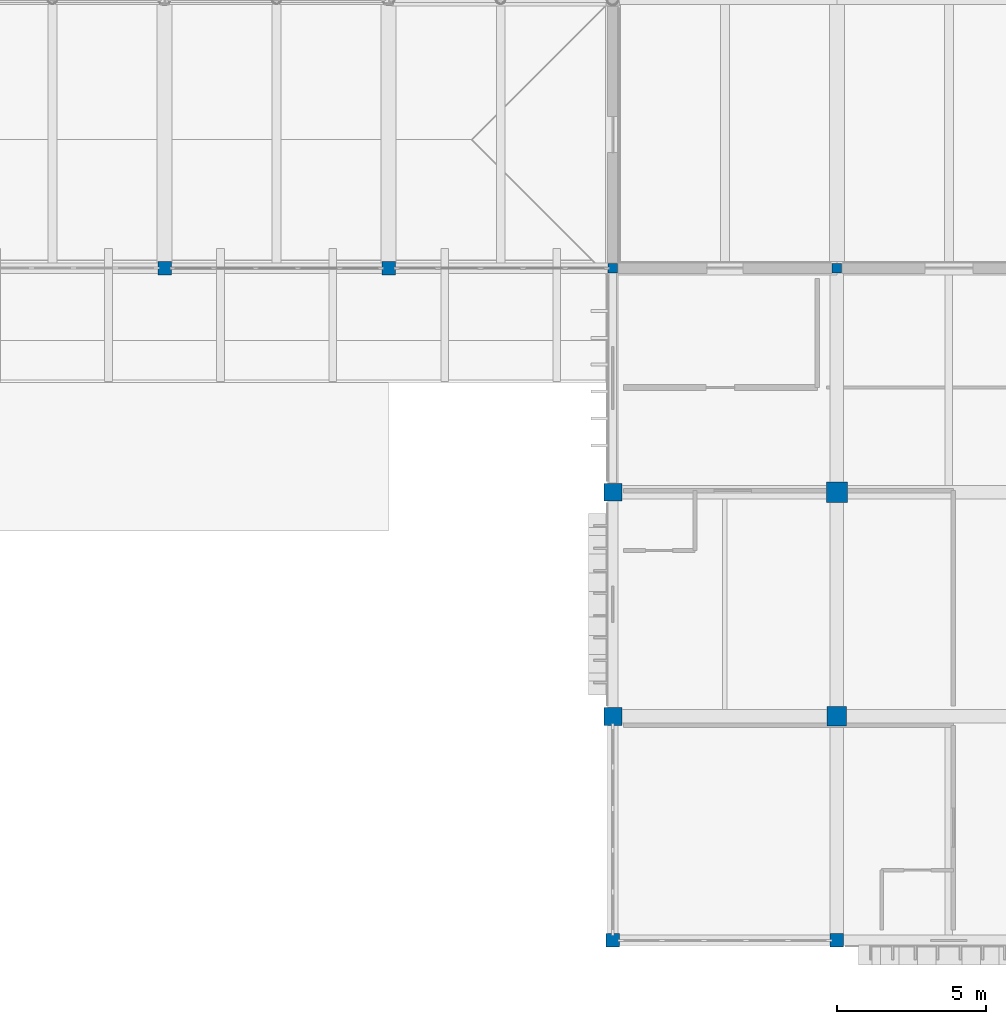
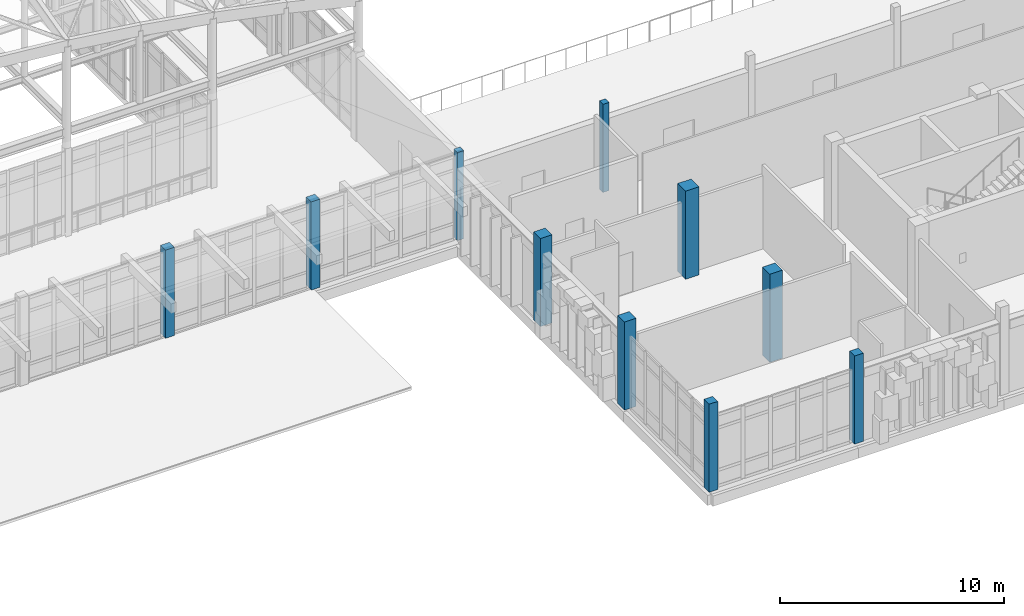
# One storey, part 4 of 131: 10 columns.
"""IFC4 building model written with IfcOpenShell, lengths in metres."""

from ifc_helpers import new_model, si_unit, direction, frame, origin, origin_2d, place, context, subcontext, project, spatial, rectangle, extrude, material, material_profile, profile_set, type_object, element, save


model = new_model("IFC4")

# Units and contexts
model_context = context("Model", 3, precision=1e-05, world=origin(), true_north=direction((0.0, 1.0)))
body_context = subcontext(model_context, "Body", "Model", "MODEL_VIEW")
ifc_project = project(units=[si_unit("LENGTHUNIT", "METRE"), si_unit("AREAUNIT", "SQUARE_METRE"), si_unit("VOLUMEUNIT", "CUBIC_METRE"), si_unit("PLANEANGLEUNIT", "RADIAN"), si_unit("MASSUNIT", "GRAM", prefix="KILO")], contexts=[model_context])

# Site, building, storey
site_placement = place(None, origin())
site = spatial("IfcSite", under=ifc_project, at=site_placement, CompositionType="ELEMENT")
building_placement = place(site_placement, origin())
building = spatial("IfcBuilding", under=site, at=building_placement, Name="Dalvernix Boulevard General Hospital", CompositionType="ELEMENT")
storey_placement = place(building_placement, frame((0.0, 0.0, 9.300048828125)))
storey = spatial("IfcBuildingStorey", under=building, at=storey_placement, Name="L02", CompositionType="ELEMENT", Elevation=9.300048828125)

# Columns
ifc_material_1 = material(Name="Concrete C40/50", Category="concrete")
ifc_material_profile_1 = material_profile(ifc_material_1, rectangle(XDim=0.699951171875, YDim=0.699951171875, at=origin_2d()), Name="RC 700x700")
ifc_profile_set_1 = profile_set([ifc_material_profile_1], Name="Concrete C40/50")
column_type_1 = type_object("IfcColumnType", Name="COL-C-05-I", PredefinedType="COLUMN", material=ifc_profile_set_1)
column_1_placement = place(storey_placement, frame((120.0, 15.0, 0.0), z_axis=(0.0, 0.0, 1.0), x_axis=(1.0, 0.0, 0.0)))
element("IfcColumn", 1, at=column_1_placement, inside=storey, type_object=column_type_1, Name="L02 column 17C", PredefinedType="COLUMN", context=body_context, shape_type="SweptSolid", body=[
    extrude(rectangle(XDim=0.699951171875, YDim=0.699951171875, at=origin_2d()), origin(), (0.0, 0.0, 1.0), 4.800048828125),
])
ifc_material_profile_2 = material_profile(ifc_material_1, rectangle(XDim=0.64990234375, YDim=0.64990234375, at=origin_2d()), Name="RC 650x650")
ifc_profile_set_2 = profile_set([ifc_material_profile_2], Name="Concrete C40/50")
column_type_2 = type_object("IfcColumnType", Name="COL-C-06-I", PredefinedType="COLUMN", material=ifc_profile_set_2)
column_2_placement = place(storey_placement, frame((120.0, 7.5, 0.0), z_axis=(0.0, 0.0, 1.0), x_axis=(1.0, 0.0, 0.0)))
element("IfcColumn", 2, at=column_2_placement, inside=storey, type_object=column_type_2, Name="L02 column 17B", PredefinedType="COLUMN", context=body_context, shape_type="SweptSolid", body=[
    extrude(rectangle(XDim=0.64990234375, YDim=0.64990234375, at=origin_2d()), origin(), (0.0, 0.0, 1.0), 4.800048828125),
])
ifc_material_profile_3 = material_profile(ifc_material_1, rectangle(XDim=0.60009765625, YDim=0.60009765625, at=origin_2d()), Name="RC 600x600")
ifc_profile_set_3 = profile_set([ifc_material_profile_3], Name="Concrete C40/50")
column_type_3 = type_object("IfcColumnType", Name="COL-C-07-E", PredefinedType="COLUMN", material=ifc_profile_set_3)
for number, where, z_axis, x_axis, name in (
    (3, (112.5, 7.5, 0.0), (0.0, 0.0, 1.0), (1.0, 0.0, 0.0), "L02 column 16B"),
    (4, (112.5, 15.0, 0.0), (0.0, 0.0, 1.0), (1.0, 0.0, 0.0), "L02 column 16C"),
):
    element("IfcColumn", number, at=place(storey_placement, frame(where, z_axis=z_axis, x_axis=x_axis)), inside=storey, type_object=column_type_3, Name=name, PredefinedType="COLUMN", context=body_context, shape_type="SweptSolid", body=[
        extrude(rectangle(XDim=0.60009765625, YDim=0.60009765625, at=origin_2d()), origin(), (0.0, 0.0, 1.0), 4.800048828125),
    ])
ifc_material_profile_4 = material_profile(ifc_material_1, rectangle(XDim=0.449951171875, YDim=0.449951171875, at=origin_2d()), Name="RC 450x450")
ifc_profile_set_4 = profile_set([ifc_material_profile_4], Name="Concrete C40/50")
column_type_4 = type_object("IfcColumnType", Name="COL-C-10-E", PredefinedType="COLUMN", material=ifc_profile_set_4)
for number, where, z_axis, x_axis, name in (
    (5, (97.5, 22.5, 0.0), (0.0, 0.0, 1.0), (1.0, 0.0, 0.0), "L02 column 14D"),
    (6, (105.0, 22.5, 0.0), (0.0, 0.0, 1.0), (1.0, 0.0, 0.0), "L02 column 15D"),
    (7, (112.5, 0.0, 0.0), (0.0, 0.0, 1.0), (1.0, 0.0, 0.0), "L02 column 16A"),
    (8, (120.0, 0.0, 0.0), (0.0, 0.0, 1.0), (1.0, 0.0, 0.0), "L02 column 17A"),
):
    element("IfcColumn", number, at=place(storey_placement, frame(where, z_axis=z_axis, x_axis=x_axis)), inside=storey, type_object=column_type_4, Name=name, PredefinedType="COLUMN", context=body_context, shape_type="SweptSolid", body=[
        extrude(rectangle(XDim=0.449951171875, YDim=0.449951171875, at=origin_2d()), origin(), (0.0, 0.0, 1.0), 4.800048828125),
    ])
ifc_material_2 = material(Name="Glulam GL28h", Category="wood")
ifc_material_profile_5 = material_profile(ifc_material_2, rectangle(XDim=0.320068359375, YDim=0.320068359375, at=origin_2d()), Name="GL28h 320x320")
ifc_profile_set_5 = profile_set([ifc_material_profile_5], Name="Glulam GL28h")
column_type_5 = type_object("IfcColumnType", Name="COL-C-20-E", PredefinedType="COLUMN", material=ifc_profile_set_5)
for number, where, z_axis, x_axis, name in (
    (9, (112.5, 22.5, 0.0), (0.0, 0.0, 1.0), (1.0, 0.0, 0.0), "L02 column 16D"),
    (10, (120.0, 22.5, 0.0), (0.0, 0.0, 1.0), (1.0, 0.0, 0.0), "L02 column 17D"),
):
    element("IfcColumn", number, at=place(storey_placement, frame(where, z_axis=z_axis, x_axis=x_axis)), inside=storey, type_object=column_type_5, Name=name, PredefinedType="COLUMN", context=body_context, shape_type="SweptSolid", body=[
        extrude(rectangle(XDim=0.320068359375, YDim=0.320068359375, at=origin_2d()), origin(), (0.0, 0.0, 1.0), 4.800048828125),
    ])

save(model, "model.ifc")
